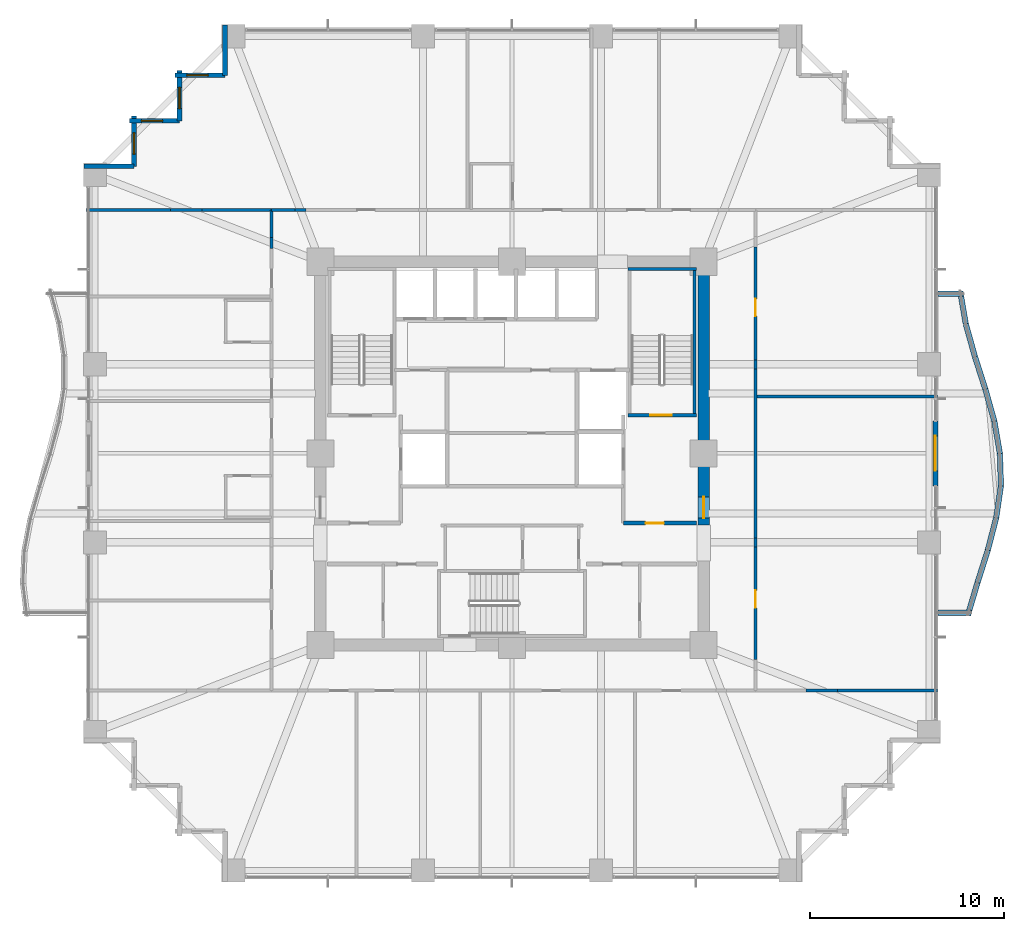
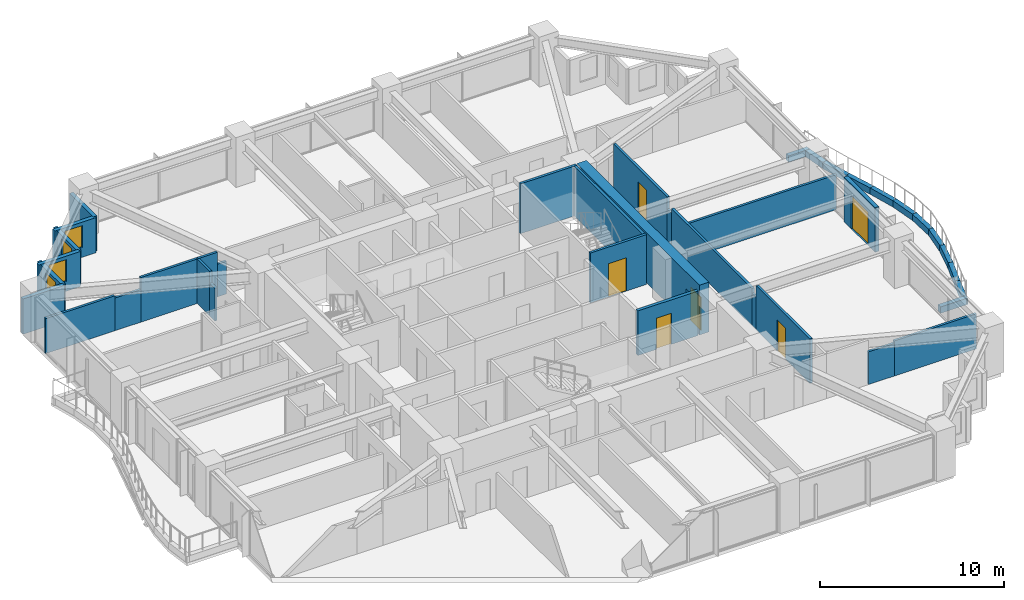
# One storey, part 35 of 38: 39 walls, 6 doors, 4 windows, 10 openings.
"""IFC4 building model written with IfcOpenShell, lengths in metres."""

from ifc_helpers import new_model, si_unit, direction, frame, frame_2d, origin, place, context, subcontext, project, spatial, rectangle, extrude, material, layer, layer_set, type_object, element, fill, save


model = new_model("IFC4")

# Units and contexts
model_context = context("Model", 3, precision=1e-05, world=origin(), true_north=direction((0.0, 1.0)))
body_context = subcontext(model_context, "Body", "Model", "MODEL_VIEW")
ifc_project = project(units=[si_unit("LENGTHUNIT", "METRE"), si_unit("AREAUNIT", "SQUARE_METRE"), si_unit("VOLUMEUNIT", "CUBIC_METRE"), si_unit("PLANEANGLEUNIT", "RADIAN"), si_unit("MASSUNIT", "GRAM", prefix="KILO")], contexts=[model_context])

# Site, building, storey
site_placement = place(None, origin())
site = spatial("IfcSite", under=ifc_project, at=site_placement, CompositionType="ELEMENT")
building_placement = place(site_placement, origin())
building = spatial("IfcBuilding", under=site, at=building_placement, Name="Kolvaren Belvedere", CompositionType="ELEMENT")
storey_placement = place(building_placement, frame((0.0, 0.0, 60.10009765625)))
storey = spatial("IfcBuildingStorey", under=building, at=storey_placement, Name="L17", CompositionType="ELEMENT", Elevation=60.10009765625)

# Wall, opening, door
ifc_material_1 = material(Name="Concrete C60/75", Category="concrete")
ifc_layer_1 = layer(ifc_material_1, 0.60009765625)
ifc_layer_set_1 = layer_set([ifc_layer_1], Name="Concrete C60/75")
wall_type_1 = type_object("IfcWallType", Name="CW-CORE-600", PredefinedType="SHEAR", material=ifc_layer_set_1)
wall_1_placement = place(storey_placement, frame((9.89990234375, -3.699951171875, 0.0), z_axis=(0.0, 0.0, 1.0), x_axis=(0.0, 1.0, 0.0)))
wall_1 = element("IfcWall", 1, at=wall_1_placement, inside=storey, type_object=wall_type_1, Name="L17 East Core Shear Wall 2", PredefinedType="SHEAR", context=body_context, shape_type="SweptSolid", body=[
    extrude(rectangle(XDim=13.300048828125, YDim=0.60009765625, at=frame_2d((6.64990234375, 0.0))), origin(), (0.0, 0.0, 1.0), 3.2998046875),
])
opening_1_placement = place(wall_1_placement, frame((0.35009765625, 0.0, 0.0)))
opening_1 = element("IfcOpeningElement", 2, at=opening_1_placement, cuts=wall_1, Name="Opening D-FD90", PredefinedType="OPENING", context=body_context, shape_type="SweptSolid", body=[
    extrude(rectangle(XDim=1.10009765625, YDim=2.199951171875, at=frame_2d((0.550048828125, 1.10009765625))), frame((0.0, 0.31005859375, 0.0), z_axis=(0.0, -1.0, 0.0), x_axis=(1.0, 0.0, 0.0)), (0.0, 0.0, 1.0), 0.6201171875),
])
ifc_material_2 = material(Name="Painted hollow stainless steel", Category="steel")
door_type_1 = type_object("IfcDoorType", Name="DR-FD90-1100", OperationType="NOTDEFINED", PredefinedType="DOOR", material=ifc_material_2)
door_1_placement = place(opening_1_placement, origin())
door_1 = element("IfcDoor", 3, at=door_1_placement, inside=storey, type_object=door_type_1, Name="L17 East Firefighting Lobby Fire Door", OperationType="SINGLE_SWING_RIGHT", OverallHeight=2.199951171875, OverallWidth=1.10009765625, PredefinedType="DOOR", context=body_context, shape_type="SweptSolid", body=[
    extrude(rectangle(XDim=1.10009765625, YDim=2.199951171875, at=frame_2d((0.550048828125, 1.10009765625))), frame((0.0, 0.02490234375, 0.0), z_axis=(0.0, -1.0, 0.0), x_axis=(1.0, 0.0, 0.0)), (0.0, 0.0, 1.0), 0.050048828125),
])
fill(opening_1, door_1)

ifc_material_3 = material(Name="Concrete C50/60", Category="concrete")
ifc_layer_2 = layer(ifc_material_3, 0.159912109375)
ifc_layer_set_2 = layer_set([ifc_layer_2], Name="Concrete C50/60")
wall_type_2 = type_object("IfcWallType", Name="CW-STAIR-160", PredefinedType="SHEAR", material=ifc_layer_set_2)
wall_2_placement = place(storey_placement, frame((6.0, 1.969970703125, 0.0), z_axis=(0.0, 0.0, 1.0), x_axis=(1.0, 0.0, 0.0)))
wall_2 = element("IfcWall", 4, at=wall_2_placement, inside=storey, type_object=wall_type_2, Name="L17 Stair ST-2 South Shear Wall", PredefinedType="SHEAR", context=body_context, shape_type="SweptSolid", body=[
    extrude(rectangle(XDim=3.52001953125, YDim=0.159912109375, at=frame_2d((1.760009765625, 0.0))), origin(), (0.0, 0.0, 1.0), 3.2998046875),
])
opening_2_placement = place(wall_2_placement, frame((1.14990234375, 0.0, 0.0)))
opening_2 = element("IfcOpeningElement", 5, at=opening_2_placement, cuts=wall_2, Name="Opening D-FD90", PredefinedType="OPENING", context=body_context, shape_type="SweptSolid", body=[
    extrude(rectangle(XDim=1.10009765625, YDim=2.199951171875, at=frame_2d((0.550048828125, 1.10009765625))), frame((0.0, 0.08984375, 0.0), z_axis=(0.0, -1.0, 0.0), x_axis=(1.0, 0.0, 0.0)), (0.0, 0.0, 1.0), 0.179931640625),
])
door_2_placement = place(opening_2_placement, origin())
door_2 = element("IfcDoor", 6, at=door_2_placement, inside=storey, type_object=door_type_1, Name="L17 Stair ST-2 Fire Door", OperationType="SINGLE_SWING_RIGHT", OverallHeight=2.199951171875, OverallWidth=1.10009765625, PredefinedType="DOOR", context=body_context, shape_type="SweptSolid", body=[
    extrude(rectangle(XDim=1.10009765625, YDim=2.199951171875, at=frame_2d((0.550048828125, 1.10009765625))), frame((0.0, 0.02490234375, 0.0), z_axis=(0.0, -1.0, 0.0), x_axis=(1.0, 0.0, 0.0)), (0.0, 0.0, 1.0), 0.050048828125),
])
fill(opening_2, door_2)

# Walls
wall_3_placement = place(storey_placement, frame((6.0, 9.530029296875, 0.0), z_axis=(0.0, 0.0, 1.0), x_axis=(1.0, 0.0, 0.0)))
element("IfcWall", 7, at=wall_3_placement, inside=storey, type_object=wall_type_2, Name="L17 Stair ST-2 North Shear Wall", PredefinedType="SHEAR", context=body_context, shape_type="SweptSolid", body=[
    extrude(rectangle(XDim=3.52001953125, YDim=0.159912109375, at=frame_2d((1.760009765625, 0.0))), origin(), (0.0, 0.0, 1.0), 3.2998046875),
])
wall_4_placement = place(storey_placement, frame((9.429931640625, 1.969970703125, 0.0), z_axis=(0.0, 0.0, 1.0), x_axis=(0.0, 1.0, 0.0)))
element("IfcWall", 8, at=wall_4_placement, inside=storey, type_object=wall_type_2, Name="L17 Stair ST-2 East Shear Wall", PredefinedType="SHEAR", context=body_context, shape_type="SweptSolid", body=[
    extrude(rectangle(XDim=7.56005859375, YDim=0.159912109375, at=frame_2d((3.780029296875, 0.0))), origin(), (0.0, 0.0, 1.0), 3.2998046875),
])
ifc_material_4 = material(Name="Gypsum fire-rated partition assembly", Category="gypsum")
ifc_layer_3 = layer(ifc_material_4, 0.14990234375)
ifc_layer_set_3 = layer_set([ifc_layer_3], Name="Gypsum fire-rated partition assembly")
wall_type_3 = type_object("IfcWallType", Name="WL-CORR-150", PredefinedType="PARTITIONING", material=ifc_layer_set_3)
wall_5_placement = place(storey_placement, frame((-12.419921875, 12.580078125, 0.0), z_axis=(0.0, 0.0, 1.0), x_axis=(1.0, 0.0, 0.0)))
element("IfcWall", 9, at=wall_5_placement, inside=storey, type_object=wall_type_3, Name="L17 North Corridor Wall", PredefinedType="PARTITIONING", context=body_context, shape_type="SweptSolid", body=[
    extrude(rectangle(XDim=1.2041015625, YDim=0.14990234375, at=frame_2d((0.60205078125, 0.0))), origin(), (0.0, 0.0, 1.0), 2.949951171875),
])
for number, where, z_axis, x_axis, name in (
    (10, (-11.2158203125, 12.580078125, 0.0), (0.0, 0.0, 1.0), (1.0, 0.0, 0.0), "L17 North Corridor Wall"),
    (11, (-12.419921875, 10.5927734375, 0.0), (0.0, 0.0, 1.0), (0.0, 1.0, 0.0), "L17 West Corridor Wall"),
):
    element("IfcWall", number, at=place(storey_placement, frame(where, z_axis=z_axis, x_axis=x_axis)), inside=storey, type_object=wall_type_3, Name=name, PredefinedType="PARTITIONING", context=body_context, shape_type="SweptSolid", body=[
        extrude(rectangle(XDim=0.561279296875, YDim=0.14990234375, at=frame_2d((0.28076171875, 0.0))), origin(), (0.0, 0.0, 1.0), 2.161865234375),
    ])
wall_6_placement = place(storey_placement, frame((-12.419921875, 11.154052734375, 0.0), z_axis=(0.0, 0.0, 1.0), x_axis=(0.0, 1.0, 0.0)))
element("IfcWall", 12, at=wall_6_placement, inside=storey, type_object=wall_type_3, Name="L17 West Corridor Wall", PredefinedType="PARTITIONING", context=body_context, shape_type="SweptSolid", body=[
    extrude(rectangle(XDim=1.426025390625, YDim=0.14990234375, at=frame_2d((0.712890625, 0.0))), origin(), (0.0, 0.0, 1.0), 2.949951171875),
])

# Wall, opening, door
wall_7_placement = place(storey_placement, frame((12.580078125, -10.654541015625, 0.0), z_axis=(0.0, 0.0, 1.0), x_axis=(0.0, 1.0, 0.0)))
wall_7 = element("IfcWall", 13, at=wall_7_placement, inside=storey, type_object=wall_type_3, Name="L17 East Corridor Wall", PredefinedType="PARTITIONING", context=body_context, shape_type="SweptSolid", body=[
    extrude(rectangle(XDim=5.822021484375, YDim=0.14990234375, at=frame_2d((2.9111328125, 0.0))), origin(), (0.0, 0.0, 1.0), 2.949951171875),
])
opening_3_placement = place(wall_7_placement, frame((2.66943359375, 0.0, 0.0)))
opening_3 = element("IfcOpeningElement", 14, at=opening_3_placement, cuts=wall_7, Name="Opening D-INT90", PredefinedType="OPENING", context=body_context, shape_type="SweptSolid", body=[
    extrude(rectangle(XDim=0.89990234375, YDim=2.06005859375, at=frame_2d((0.449951171875, 1.030029296875))), frame((0.0, 0.0849609375, 0.0), z_axis=(0.0, -1.0, 0.0), x_axis=(1.0, 0.0, 0.0)), (0.0, 0.0, 1.0), 0.169921875),
])
ifc_material_5 = material(Name="Stained Pacific white oak", Category="timber")
door_type_2 = type_object("IfcDoorType", Name="DR-INT-900", OperationType="NOTDEFINED", PredefinedType="DOOR", material=ifc_material_5)
door_3_placement = place(opening_3_placement, origin())
door_3 = element("IfcDoor", 15, at=door_3_placement, inside=storey, type_object=door_type_2, Name="L17 Lounge 1705 Door", OperationType="SINGLE_SWING_LEFT", OverallHeight=2.06005859375, OverallWidth=0.89990234375, PredefinedType="DOOR", context=body_context, shape_type="SweptSolid", body=[
    extrude(rectangle(XDim=0.89990234375, YDim=2.06005859375, at=frame_2d((0.449951171875, 1.030029296875))), frame((0.0, 0.02490234375, 0.0), z_axis=(0.0, -1.0, 0.0), x_axis=(1.0, 0.0, 0.0)), (0.0, 0.0, 1.0), 0.050048828125),
])
fill(opening_3, door_3)

# Walls
wall_8_placement = place(storey_placement, frame((12.580078125, -4.83251953125, 0.0), z_axis=(0.0, 0.0, 1.0), x_axis=(0.0, 1.0, 0.0)))
element("IfcWall", 16, at=wall_8_placement, inside=storey, type_object=wall_type_3, Name="L17 East Corridor Wall", PredefinedType="PARTITIONING", context=body_context, shape_type="SweptSolid", body=[
    extrude(rectangle(XDim=0.465087890625, YDim=0.14990234375, at=frame_2d((0.232421875, 0.0))), origin(), (0.0, 0.0, 1.0), 2.161865234375),
])
wall_9_placement = place(storey_placement, frame((12.580078125, -4.367431640625, 0.0), z_axis=(0.0, 0.0, 1.0), x_axis=(0.0, 1.0, 0.0)))
element("IfcWall", 17, at=wall_9_placement, inside=storey, type_object=wall_type_3, Name="L17 East Corridor Wall", PredefinedType="PARTITIONING", context=body_context, shape_type="SweptSolid", body=[
    extrude(rectangle(XDim=8.73486328125, YDim=0.14990234375, at=frame_2d((4.367431640625, 0.0))), origin(), (0.0, 0.0, 1.0), 2.474853515625),
])
wall_10_placement = place(storey_placement, frame((12.580078125, 4.367431640625, 0.0), z_axis=(0.0, 0.0, 1.0), x_axis=(0.0, 1.0, 0.0)))
element("IfcWall", 18, at=wall_10_placement, inside=storey, type_object=wall_type_3, Name="L17 East Corridor Wall", PredefinedType="PARTITIONING", context=body_context, shape_type="SweptSolid", body=[
    extrude(rectangle(XDim=0.465087890625, YDim=0.14990234375, at=frame_2d((0.232421875, 0.0))), origin(), (0.0, 0.0, 1.0), 2.161865234375),
])

# Wall, opening, door
wall_11_placement = place(storey_placement, frame((12.580078125, 4.83251953125, 0.0), z_axis=(0.0, 0.0, 1.0), x_axis=(0.0, 1.0, 0.0)))
wall_11 = element("IfcWall", 19, at=wall_11_placement, inside=storey, type_object=wall_type_3, Name="L17 East Corridor Wall", PredefinedType="PARTITIONING", context=body_context, shape_type="SweptSolid", body=[
    extrude(rectangle(XDim=5.822021484375, YDim=0.14990234375, at=frame_2d((2.9111328125, 0.0))), origin(), (0.0, 0.0, 1.0), 2.949951171875),
])
opening_4_placement = place(wall_11_placement, frame((2.25244140625, 0.0, 0.0)))
opening_4 = element("IfcOpeningElement", 20, at=opening_4_placement, cuts=wall_11, Name="Opening D-INT90", PredefinedType="OPENING", context=body_context, shape_type="SweptSolid", body=[
    extrude(rectangle(XDim=0.89990234375, YDim=2.06005859375, at=frame_2d((0.449951171875, 1.030029296875))), frame((0.0, 0.0849609375, 0.0), z_axis=(0.0, -1.0, 0.0), x_axis=(1.0, 0.0, 0.0)), (0.0, 0.0, 1.0), 0.169921875),
])
door_4_placement = place(opening_4_placement, origin())
door_4 = element("IfcDoor", 21, at=door_4_placement, inside=storey, type_object=door_type_2, Name="L17 Botanical Reading Salon 1706 Door", OperationType="SINGLE_SWING_RIGHT", OverallHeight=2.06005859375, OverallWidth=0.89990234375, PredefinedType="DOOR", context=body_context, shape_type="SweptSolid", body=[
    extrude(rectangle(XDim=0.89990234375, YDim=2.06005859375, at=frame_2d((0.449951171875, 1.030029296875))), frame((0.0, 0.02490234375, 0.0), z_axis=(0.0, -1.0, 0.0), x_axis=(1.0, 0.0, 0.0)), (0.0, 0.0, 1.0), 0.050048828125),
])
fill(opening_4, door_4)

ifc_material_6 = material(Name="Insulated pale-metal facade wall assembly", Category="aluminium")
ifc_layer_4 = layer(ifc_material_6, 0.239990234375)
ifc_layer_set_4 = layer_set([ifc_layer_4], Name="Insulated pale-metal facade wall assembly")
wall_type_4 = type_object("IfcWallType", Name="WL-EXT-240", PredefinedType="STANDARD", material=ifc_layer_set_4)
wall_12_placement = place(storey_placement, frame((21.8798828125, 1.679931640625, 0.0), z_axis=(0.0, 0.0, 1.0), x_axis=(0.0, -1.0, 0.0)))
wall_12 = element("IfcWall", 22, at=wall_12_placement, inside=storey, type_object=wall_type_4, Name="L17 East Terrace Portal Wall", PredefinedType="STANDARD", context=body_context, shape_type="SweptSolid", body=[
    extrude(rectangle(XDim=3.35986328125, YDim=0.239990234375, at=frame_2d((1.679931640625, 0.0))), origin(), (0.0, 0.0, 1.0), 2.949951171875),
])
opening_5_placement = place(wall_12_placement, frame((0.780029296875, 0.0, 0.0)))
opening_5 = element("IfcOpeningElement", 23, at=opening_5_placement, cuts=wall_12, Name="Opening DB-1800", PredefinedType="OPENING", context=body_context, shape_type="SweptSolid", body=[
    extrude(rectangle(XDim=1.800048828125, YDim=2.199951171875, at=frame_2d((0.89990234375, 1.10009765625))), frame((0.0, 0.1298828125, 0.0), z_axis=(0.0, -1.0, 0.0), x_axis=(1.0, 0.0, 0.0)), (0.0, 0.0, 1.0), 0.260009765625),
])
ifc_material_7 = material(Name="Thermally broken pale-metal aluminium & low-iron glass", Category="aluminium")
door_type_3 = type_object("IfcDoorType", Name="DR-BAL-1800", OperationType="DOUBLE_DOOR_SLIDING", PredefinedType="DOOR", material=ifc_material_7)
door_5_placement = place(opening_5_placement, origin())
door_5 = element("IfcDoor", 24, at=door_5_placement, inside=storey, type_object=door_type_3, Name="L17 East Planted Terrace Sliding Door", OperationType="DOUBLE_DOOR_SLIDING", OverallHeight=2.199951171875, OverallWidth=1.800048828125, PredefinedType="DOOR", context=body_context, shape_type="SweptSolid", body=[
    extrude(rectangle(XDim=1.800048828125, YDim=2.199951171875, at=frame_2d((0.89990234375, 1.10009765625))), frame((0.0, 0.02490234375, 0.0), z_axis=(0.0, -1.0, 0.0), x_axis=(1.0, 0.0, 0.0)), (0.0, 0.0, 1.0), 0.050048828125),
])
fill(opening_5, door_5)

# Wall
wall_13_placement = place(storey_placement, frame((-14.830078125, 19.530029296875, 0.0), z_axis=(0.0, 0.0, 1.0), x_axis=(0.0, 1.0, 0.0)))
element("IfcWall", 25, at=wall_13_placement, inside=storey, type_object=wall_type_4, Name="L17 Serrated Corner Facade Wall 16", PredefinedType="STANDARD", context=body_context, shape_type="SweptSolid", body=[
    extrude(rectangle(XDim=2.590087890625, YDim=0.239990234375, at=frame_2d((1.294921875, 0.0))), origin(), (0.0, 0.0, 1.0), 2.328857421875),
])

# Wall, opening, window
wall_14_placement = place(storey_placement, frame((-17.419921875, 19.530029296875, 0.0), z_axis=(0.0, 0.0, 1.0), x_axis=(1.0, 0.0, 0.0)))
wall_14 = element("IfcWall", 26, at=wall_14_placement, inside=storey, type_object=wall_type_4, Name="L17 Serrated Corner Facade Wall 17", PredefinedType="STANDARD", context=body_context, shape_type="SweptSolid", body=[
    extrude(rectangle(XDim=2.58984375, YDim=0.239990234375, at=frame_2d((1.294921875, 0.0))), origin(), (0.0, 0.0, 1.0), 2.328857421875),
])
opening_6_placement = place(wall_14_placement, frame((0.625, 0.0, 0.64990234375)))
opening_6 = element("IfcOpeningElement", 27, at=opening_6_placement, cuts=wall_14, Name="Opening W-1100", PredefinedType="OPENING", context=body_context, shape_type="SweptSolid", body=[
    extrude(rectangle(XDim=1.10009765625, YDim=1.449951171875, at=frame_2d((0.550048828125, 0.72509765625))), frame((0.0, 0.1298828125, 0.0), z_axis=(0.0, -1.0, 0.0), x_axis=(1.0, 0.0, 0.0)), (0.0, 0.0, 1.0), 0.260009765625),
])
ifc_material_8 = material(Name="Low-iron triple insulated glass", Category="glass")
window_type = type_object("IfcWindowType", Name="WN-CORN-1100", PartitioningType="SINGLE_PANEL", PredefinedType="WINDOW", material=ifc_material_8)
window_1_placement = place(opening_6_placement, origin())
window_1 = element("IfcWindow", 28, at=window_1_placement, inside=storey, type_object=window_type, Name="L17 Serrated Corner Vision Window 17", OverallHeight=1.449951171875, OverallWidth=1.10009765625, PartitioningType="SINGLE_PANEL", PredefinedType="WINDOW", context=body_context, shape_type="SweptSolid", body=[
    extrude(rectangle(XDim=1.10009765625, YDim=1.449951171875, at=frame_2d((0.550048828125, 0.72509765625))), frame((0.0, 0.030029296875, 0.0), z_axis=(0.0, -1.0, 0.0), x_axis=(1.0, 0.0, 0.0)), (0.0, 0.0, 1.0), 0.06005859375),
])
fill(opening_6, window_1)

wall_15_placement = place(storey_placement, frame((-17.179931640625, 17.179931640625, 0.0), z_axis=(0.0, 0.0, 1.0), x_axis=(0.0, 1.0, 0.0)))
wall_15 = element("IfcWall", 29, at=wall_15_placement, inside=storey, type_object=wall_type_4, Name="L17 Serrated Corner Facade Wall 18", PredefinedType="STANDARD", context=body_context, shape_type="SweptSolid", body=[
    extrude(rectangle(XDim=2.590087890625, YDim=0.239990234375, at=frame_2d((1.294921875, 0.0))), origin(), (0.0, 0.0, 1.0), 2.328857421875),
])
opening_7_placement = place(wall_15_placement, frame((0.625, 0.0, 0.64990234375)))
opening_7 = element("IfcOpeningElement", 30, at=opening_7_placement, cuts=wall_15, Name="Opening W-1100", PredefinedType="OPENING", context=body_context, shape_type="SweptSolid", body=[
    extrude(rectangle(XDim=1.10009765625, YDim=1.449951171875, at=frame_2d((0.550048828125, 0.72509765625))), frame((0.0, 0.1298828125, 0.0), z_axis=(0.0, -1.0, 0.0), x_axis=(1.0, 0.0, 0.0)), (0.0, 0.0, 1.0), 0.260009765625),
])
window_2_placement = place(opening_7_placement, origin())
window_2 = element("IfcWindow", 31, at=window_2_placement, inside=storey, type_object=window_type, Name="L17 Serrated Corner Vision Window 18", OverallHeight=1.449951171875, OverallWidth=1.10009765625, PartitioningType="SINGLE_PANEL", PredefinedType="WINDOW", context=body_context, shape_type="SweptSolid", body=[
    extrude(rectangle(XDim=1.10009765625, YDim=1.449951171875, at=frame_2d((0.550048828125, 0.72509765625))), frame((0.0, 0.030029296875, 0.0), z_axis=(0.0, -1.0, 0.0), x_axis=(1.0, 0.0, 0.0)), (0.0, 0.0, 1.0), 0.06005859375),
])
fill(opening_7, window_2)

wall_16_placement = place(storey_placement, frame((-19.77001953125, 17.179931640625, 0.0), z_axis=(0.0, 0.0, 1.0), x_axis=(1.0, 0.0, 0.0)))
wall_16 = element("IfcWall", 32, at=wall_16_placement, inside=storey, type_object=wall_type_4, Name="L17 Serrated Corner Facade Wall 19", PredefinedType="STANDARD", context=body_context, shape_type="SweptSolid", body=[
    extrude(rectangle(XDim=2.590087890625, YDim=0.239990234375, at=frame_2d((1.294921875, 0.0))), origin(), (0.0, 0.0, 1.0), 2.328857421875),
])
opening_8_placement = place(wall_16_placement, frame((0.625, 0.0, 0.64990234375)))
opening_8 = element("IfcOpeningElement", 33, at=opening_8_placement, cuts=wall_16, Name="Opening W-1100", PredefinedType="OPENING", context=body_context, shape_type="SweptSolid", body=[
    extrude(rectangle(XDim=1.10009765625, YDim=1.449951171875, at=frame_2d((0.550048828125, 0.72509765625))), frame((0.0, 0.1298828125, 0.0), z_axis=(0.0, -1.0, 0.0), x_axis=(1.0, 0.0, 0.0)), (0.0, 0.0, 1.0), 0.260009765625),
])
window_3_placement = place(opening_8_placement, origin())
window_3 = element("IfcWindow", 34, at=window_3_placement, inside=storey, type_object=window_type, Name="L17 Serrated Corner Vision Window 19", OverallHeight=1.449951171875, OverallWidth=1.10009765625, PartitioningType="SINGLE_PANEL", PredefinedType="WINDOW", context=body_context, shape_type="SweptSolid", body=[
    extrude(rectangle(XDim=1.10009765625, YDim=1.449951171875, at=frame_2d((0.550048828125, 0.72509765625))), frame((0.0, 0.030029296875, 0.0), z_axis=(0.0, -1.0, 0.0), x_axis=(1.0, 0.0, 0.0)), (0.0, 0.0, 1.0), 0.06005859375),
])
fill(opening_8, window_3)

wall_17_placement = place(storey_placement, frame((-19.530029296875, 14.830078125, 0.0), z_axis=(0.0, 0.0, 1.0), x_axis=(0.0, 1.0, 0.0)))
wall_17 = element("IfcWall", 35, at=wall_17_placement, inside=storey, type_object=wall_type_4, Name="L17 Serrated Corner Facade Wall 20", PredefinedType="STANDARD", context=body_context, shape_type="SweptSolid", body=[
    extrude(rectangle(XDim=2.58984375, YDim=0.239990234375, at=frame_2d((1.294921875, 0.0))), origin(), (0.0, 0.0, 1.0), 2.328857421875),
])
opening_9_placement = place(wall_17_placement, frame((0.625, 0.0, 0.64990234375)))
opening_9 = element("IfcOpeningElement", 36, at=opening_9_placement, cuts=wall_17, Name="Opening W-1100", PredefinedType="OPENING", context=body_context, shape_type="SweptSolid", body=[
    extrude(rectangle(XDim=1.10009765625, YDim=1.449951171875, at=frame_2d((0.550048828125, 0.72509765625))), frame((0.0, 0.1298828125, 0.0), z_axis=(0.0, -1.0, 0.0), x_axis=(1.0, 0.0, 0.0)), (0.0, 0.0, 1.0), 0.260009765625),
])
window_4_placement = place(opening_9_placement, origin())
window_4 = element("IfcWindow", 37, at=window_4_placement, inside=storey, type_object=window_type, Name="L17 Serrated Corner Vision Window 20", OverallHeight=1.449951171875, OverallWidth=1.10009765625, PartitioningType="SINGLE_PANEL", PredefinedType="WINDOW", context=body_context, shape_type="SweptSolid", body=[
    extrude(rectangle(XDim=1.10009765625, YDim=1.449951171875, at=frame_2d((0.550048828125, 0.72509765625))), frame((0.0, 0.030029296875, 0.0), z_axis=(0.0, -1.0, 0.0), x_axis=(1.0, 0.0, 0.0)), (0.0, 0.0, 1.0), 0.06005859375),
])
fill(opening_9, window_4)

# Walls
wall_18_placement = place(storey_placement, frame((-22.1201171875, 14.830078125, 0.0), z_axis=(0.0, 0.0, 1.0), x_axis=(1.0, 0.0, 0.0)))
element("IfcWall", 38, at=wall_18_placement, inside=storey, type_object=wall_type_4, Name="L17 Serrated Corner Facade Wall 21", PredefinedType="STANDARD", context=body_context, shape_type="SweptSolid", body=[
    extrude(rectangle(XDim=2.590087890625, YDim=0.239990234375, at=frame_2d((1.294921875, 0.0))), origin(), (0.0, 0.0, 1.0), 2.328857421875),
])
ifc_material_9 = material(Name="Gypsum acoustic partition assembly", Category="gypsum")
ifc_layer_5 = layer(ifc_material_9, 0.14990234375)
ifc_layer_set_5 = layer_set([ifc_layer_5], Name="Gypsum acoustic partition assembly")
wall_type_5 = type_object("IfcWallType", Name="WL-PART-150", PredefinedType="PARTITIONING", material=ifc_layer_set_5)
wall_19_placement = place(storey_placement, frame((15.192626953125, -12.260009765625, 0.0), z_axis=(0.0, 0.0, 1.0), x_axis=(1.0, 0.0, 0.0)))
element("IfcWall", 39, at=wall_19_placement, inside=storey, type_object=wall_type_5, Name="L17 Wing Divider PW-L17-QSE", PredefinedType="PARTITIONING", context=body_context, shape_type="SweptSolid", body=[
    extrude(rectangle(XDim=1.63427734375, YDim=0.14990234375, at=frame_2d((0.817138671875, 0.0))), origin(), (0.0, 0.0, 1.0), 2.161865234375),
])
wall_20_placement = place(storey_placement, frame((16.826904296875, -12.260009765625, 0.0), z_axis=(0.0, 0.0, 1.0), x_axis=(1.0, 0.0, 0.0)))
element("IfcWall", 40, at=wall_20_placement, inside=storey, type_object=wall_type_5, Name="L17 Wing Divider PW-L17-QSE", PredefinedType="PARTITIONING", context=body_context, shape_type="SweptSolid", body=[
    extrude(rectangle(XDim=5.153076171875, YDim=0.14990234375, at=frame_2d((2.57666015625, 0.0))), origin(), (0.0, 0.0, 1.0), 2.31884765625),
])
wall_21_placement = place(storey_placement, frame((-21.97998046875, 12.580078125, 0.0), z_axis=(0.0, 0.0, 1.0), x_axis=(1.0, 0.0, 0.0)))
element("IfcWall", 41, at=wall_21_placement, inside=storey, type_object=wall_type_5, Name="L17 Wing Divider PW-L17-QNW", PredefinedType="PARTITIONING", context=body_context, shape_type="SweptSolid", body=[
    extrude(rectangle(XDim=4.324462890625, YDim=0.14990234375, at=frame_2d((2.162109375, 0.0))), origin(), (0.0, 0.0, 1.0), 2.31884765625),
])
wall_22_placement = place(storey_placement, frame((-17.655517578125, 12.580078125, 0.0), z_axis=(0.0, 0.0, 1.0), x_axis=(1.0, 0.0, 0.0)))
element("IfcWall", 42, at=wall_22_placement, inside=storey, type_object=wall_type_5, Name="L17 Wing Divider PW-L17-QNW", PredefinedType="PARTITIONING", context=body_context, shape_type="SweptSolid", body=[
    extrude(rectangle(XDim=1.634521484375, YDim=0.14990234375, at=frame_2d((0.8173828125, 0.0))), origin(), (0.0, 0.0, 1.0), 2.161865234375),
])
wall_23_placement = place(storey_placement, frame((-16.02099609375, 12.580078125, 0.0), z_axis=(0.0, 0.0, 1.0), x_axis=(1.0, 0.0, 0.0)))
element("IfcWall", 43, at=wall_23_placement, inside=storey, type_object=wall_type_5, Name="L17 Wing Divider PW-L17-QNW", PredefinedType="PARTITIONING", context=body_context, shape_type="SweptSolid", body=[
    extrude(rectangle(XDim=3.60107421875, YDim=0.14990234375, at=frame_2d((1.800537109375, 0.0))), origin(), (0.0, 0.0, 1.0), 2.949951171875),
])
wall_24_placement = place(storey_placement, frame((12.580078125, 2.93994140625, 0.0), z_axis=(0.0, 0.0, 1.0), x_axis=(1.0, 0.0, 0.0)))
element("IfcWall", 44, at=wall_24_placement, inside=storey, type_object=wall_type_5, Name="L17 East Suite Demising Wall 1", PredefinedType="PARTITIONING", context=body_context, shape_type="SweptSolid", body=[
    extrude(rectangle(XDim=9.39990234375, YDim=0.14990234375, at=frame_2d((4.699951171875, 0.0))), origin(), (0.0, 0.0, 1.0), 2.31884765625),
])
ifc_material_10 = material(Name="Precast concrete C40/50", Category="concrete")
ifc_layer_6 = layer(ifc_material_10, 0.300048828125)
ifc_layer_set_6 = layer_set([ifc_layer_6], Name="Precast concrete C40/50")
wall_type_6 = type_object("IfcWallType", Name="WL-PLANTER-300", PredefinedType="PARAPET", material=ifc_layer_set_6)
wall_25_placement = place(storey_placement, frame((23.5517578125, -8.3544921875, -0.06005859375), z_axis=(0.0, 0.0, 1.0), x_axis=(0.284970268083, 0.958536356279, 0.0)))
element("IfcWall", 45, at=wall_25_placement, inside=storey, type_object=wall_type_6, Name="L17 Precast Structural Planter Wall BAL-E-1", PredefinedType="PARAPET", context=body_context, shape_type="SweptSolid", body=[
    extrude(rectangle(XDim=1.7529296875, YDim=0.280029296875, at=frame_2d((0.87646484375, 0.0))), origin(), (0.0, 0.0, 1.0), 0.419921875),
])
wall_26_placement = place(storey_placement, frame((24.052001953125, -6.671630859375, -0.06005859375), z_axis=(0.0, 0.0, 1.0), x_axis=(0.302523204768, 0.953142020151, 0.0)))
element("IfcWall", 46, at=wall_26_placement, inside=storey, type_object=wall_type_6, Name="L17 Precast Structural Planter Wall BAL-E-2", PredefinedType="PARAPET", context=body_context, shape_type="SweptSolid", body=[
    extrude(rectangle(XDim=1.762451171875, YDim=0.280029296875, at=frame_2d((0.88134765625, 0.0))), origin(), (0.0, 0.0, 1.0), 0.419921875),
])
wall_27_placement = place(storey_placement, frame((24.582763671875, -5.0, -0.06005859375), z_axis=(0.0, 0.0, 1.0), x_axis=(0.250405556038, 0.968141031826, 0.0)))
element("IfcWall", 47, at=wall_27_placement, inside=storey, type_object=wall_type_6, Name="L17 Precast Structural Planter Wall BAL-E-3", PredefinedType="PARAPET", context=body_context, shape_type="SweptSolid", body=[
    extrude(rectangle(XDim=1.7353515625, YDim=0.280029296875, at=frame_2d((0.86767578125, 0.0))), origin(), (0.0, 0.0, 1.0), 0.419921875),
])
wall_28_placement = place(storey_placement, frame((25.013916015625, -3.336669921875, -0.06005859375), z_axis=(0.0, 0.0, 1.0), x_axis=(0.145928579368, 0.989295127716, 0.0)))
element("IfcWall", 48, at=wall_28_placement, inside=storey, type_object=wall_type_6, Name="L17 Precast Structural Planter Wall BAL-E-4", PredefinedType="PARAPET", context=body_context, shape_type="SweptSolid", body=[
    extrude(rectangle(XDim=1.697998046875, YDim=0.280029296875, at=frame_2d((0.84912109375, 0.0))), origin(), (0.0, 0.0, 1.0), 0.419921875),
])
wall_29_placement = place(storey_placement, frame((25.260009765625, -1.68505859375, -0.06005859375), z_axis=(0.0, 0.0, 1.0), x_axis=(-0.031370777138, 0.999507816048, 0.0)))
element("IfcWall", 49, at=wall_29_placement, inside=storey, type_object=wall_type_6, Name="L17 Precast Structural Planter Wall BAL-E-5", PredefinedType="PARAPET", context=body_context, shape_type="SweptSolid", body=[
    extrude(rectangle(XDim=1.680908203125, YDim=0.280029296875, at=frame_2d((0.84033203125, 0.0))), origin(), (0.0, 0.0, 1.0), 0.419921875),
])
wall_30_placement = place(storey_placement, frame((25.20947265625, -0.027099609375, -0.06005859375), z_axis=(0.0, 0.0, 1.0), x_axis=(-0.168856484225, 0.985640648378, 0.0)))
element("IfcWall", 50, at=wall_30_placement, inside=storey, type_object=wall_type_6, Name="L17 Precast Structural Planter Wall BAL-E-6", PredefinedType="PARAPET", context=body_context, shape_type="SweptSolid", body=[
    extrude(rectangle(XDim=1.70458984375, YDim=0.280029296875, at=frame_2d((0.852294921875, 0.0))), origin(), (0.0, 0.0, 1.0), 0.419921875),
])
wall_31_placement = place(storey_placement, frame((24.92529296875, 1.63671875, -0.06005859375), z_axis=(0.0, 0.0, 1.0), x_axis=(-0.269764860108, 0.962926227834, 0.0)))
element("IfcWall", 51, at=wall_31_placement, inside=storey, type_object=wall_type_6, Name="L17 Precast Structural Planter Wall BAL-E-7", PredefinedType="PARAPET", context=body_context, shape_type="SweptSolid", body=[
    extrude(rectangle(XDim=1.744873046875, YDim=0.280029296875, at=frame_2d((0.87255859375, 0.0))), origin(), (0.0, 0.0, 1.0), 0.419921875),
])
wall_32_placement = place(storey_placement, frame((24.456298828125, 3.311279296875, -0.06005859375), z_axis=(0.0, 0.0, 1.0), x_axis=(-0.304660208284, 0.952461105499, 0.0)))
element("IfcWall", 52, at=wall_32_placement, inside=storey, type_object=wall_type_6, Name="L17 Precast Structural Planter Wall BAL-E-8", PredefinedType="PARAPET", context=body_context, shape_type="SweptSolid", body=[
    extrude(rectangle(XDim=1.763671875, YDim=0.280029296875, at=frame_2d((0.8818359375, 0.0))), origin(), (0.0, 0.0, 1.0), 0.419921875),
])
wall_33_placement = place(storey_placement, frame((23.917236328125, 4.996826171875, -0.06005859375), z_axis=(0.0, 0.0, 1.0), x_axis=(-0.269801210823, 0.962916043401, 0.0)))
element("IfcWall", 53, at=wall_33_placement, inside=storey, type_object=wall_type_6, Name="L17 Precast Structural Planter Wall BAL-E-9", PredefinedType="PARAPET", context=body_context, shape_type="SweptSolid", body=[
    extrude(rectangle(XDim=1.74462890625, YDim=0.280029296875, at=frame_2d((0.872314453125, 0.0))), origin(), (0.0, 0.0, 1.0), 0.419921875),
])
wall_34_placement = place(storey_placement, frame((23.443115234375, 6.693115234375, -0.06005859375), z_axis=(0.0, 0.0, 1.0), x_axis=(-0.16888032392, 0.985636563949, 0.0)))
element("IfcWall", 54, at=wall_34_placement, inside=storey, type_object=wall_type_6, Name="L17 Precast Structural Planter Wall BAL-E-10", PredefinedType="PARAPET", context=body_context, shape_type="SweptSolid", body=[
    extrude(rectangle(XDim=1.704345703125, YDim=0.280029296875, at=frame_2d((0.85205078125, 0.0))), origin(), (0.0, 0.0, 1.0), 0.419921875),
])
wall_35_placement = place(storey_placement, frame((23.31298828125, 8.239990234375, -0.06005859375), z_axis=(0.0, 0.0, 1.0), x_axis=(-1.0, 0.0, 0.0)))
element("IfcWall", 55, at=wall_35_placement, inside=storey, type_object=wall_type_6, Name="L17 Precast Structural Planter Wall BAL-E-11", PredefinedType="PARAPET", context=body_context, shape_type="SweptSolid", body=[
    extrude(rectangle(XDim=1.31298828125, YDim=0.280029296875, at=frame_2d((0.656494140625, 0.0))), origin(), (0.0, 0.0, 1.0), 0.419921875),
])
wall_36_placement = place(storey_placement, frame((22.0, -8.239990234375, -0.06005859375), z_axis=(0.0, 0.0, 1.0), x_axis=(1.0, 0.0, 0.0)))
element("IfcWall", 56, at=wall_36_placement, inside=storey, type_object=wall_type_6, Name="L17 Precast Structural Planter Wall BAL-E-22", PredefinedType="PARAPET", context=body_context, shape_type="SweptSolid", body=[
    extrude(rectangle(XDim=1.705078125, YDim=0.280029296875, at=frame_2d((0.8525390625, 0.0))), origin(), (0.0, 0.0, 1.0), 0.419921875),
])

# Wall, opening, door
ifc_material_11 = material(Name="Concrete C50/60", Category="concrete")
ifc_layer_7 = layer(ifc_material_11, 0.199951171875)
ifc_layer_set_7 = layer_set([ifc_layer_7], Name="Concrete C50/60")
wall_type_7 = type_object("IfcWallType", Name="WL-SHAFT-200", PredefinedType="SOLIDWALL", material=ifc_layer_set_7)
wall_37_placement = place(storey_placement, frame((5.75, -3.60009765625, 0.0), z_axis=(0.0, 0.0, 1.0), x_axis=(1.0, 0.0, 0.0)))
wall_37 = element("IfcWall", 57, at=wall_37_placement, inside=storey, type_object=wall_type_7, Name="L17 East FSAE Lobby South Wall", PredefinedType="SOLIDWALL", context=body_context, shape_type="SweptSolid", body=[
    extrude(rectangle(XDim=3.77001953125, YDim=0.199951171875, at=frame_2d((1.885009765625, 0.0))), origin(), (0.0, 0.0, 1.0), 2.949951171875),
])
opening_10_placement = place(wall_37_placement, frame((1.14990234375, 0.0, 0.0)))
opening_10 = element("IfcOpeningElement", 58, at=opening_10_placement, cuts=wall_37, Name="Opening D-FD60", PredefinedType="OPENING", context=body_context, shape_type="SweptSolid", body=[
    extrude(rectangle(XDim=0.949951171875, YDim=2.06005859375, at=frame_2d((0.47509765625, 1.030029296875))), frame((0.0, 0.10986328125, 0.0), z_axis=(0.0, -1.0, 0.0), x_axis=(1.0, 0.0, 0.0)), (0.0, 0.0, 1.0), 0.219970703125),
])
ifc_material_12 = material(Name="Acoustic white-oak fire door leaf", Category="timber")
door_type_4 = type_object("IfcDoorType", Name="DR-FD60-950", OperationType="NOTDEFINED", PredefinedType="DOOR", material=ifc_material_12)
door_6_placement = place(opening_10_placement, origin())
door_6 = element("IfcDoor", 59, at=door_6_placement, inside=storey, type_object=door_type_4, Name="L17 SE Lift Lobby Fire Door", OperationType="SINGLE_SWING_RIGHT", OverallHeight=2.06005859375, OverallWidth=0.949951171875, PredefinedType="DOOR", context=body_context, shape_type="SweptSolid", body=[
    extrude(rectangle(XDim=0.949951171875, YDim=2.06005859375, at=frame_2d((0.47509765625, 1.030029296875))), frame((0.0, 0.02490234375, 0.0), z_axis=(0.0, -1.0, 0.0), x_axis=(1.0, 0.0, 0.0)), (0.0, 0.0, 1.0), 0.050048828125),
])
fill(opening_10, door_6)

save(model, "model.ifc")
